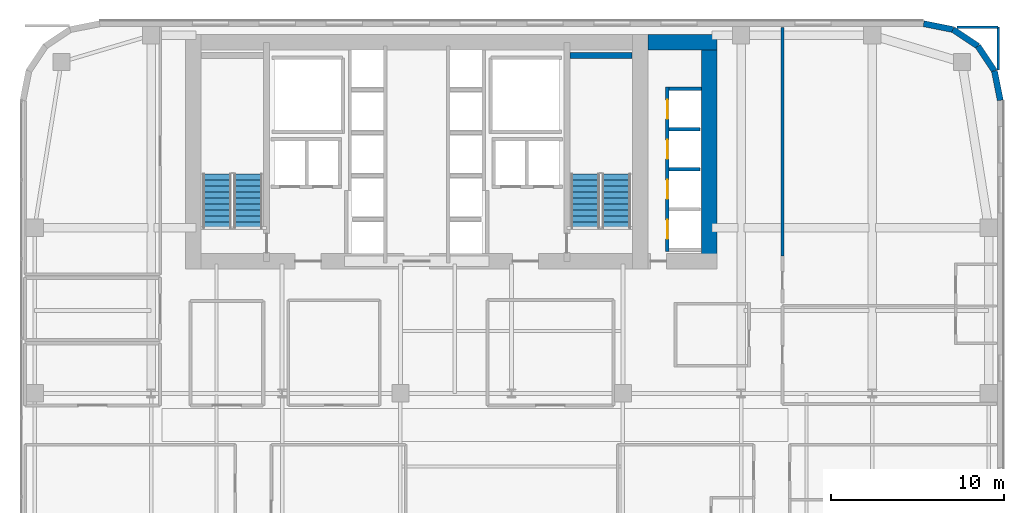
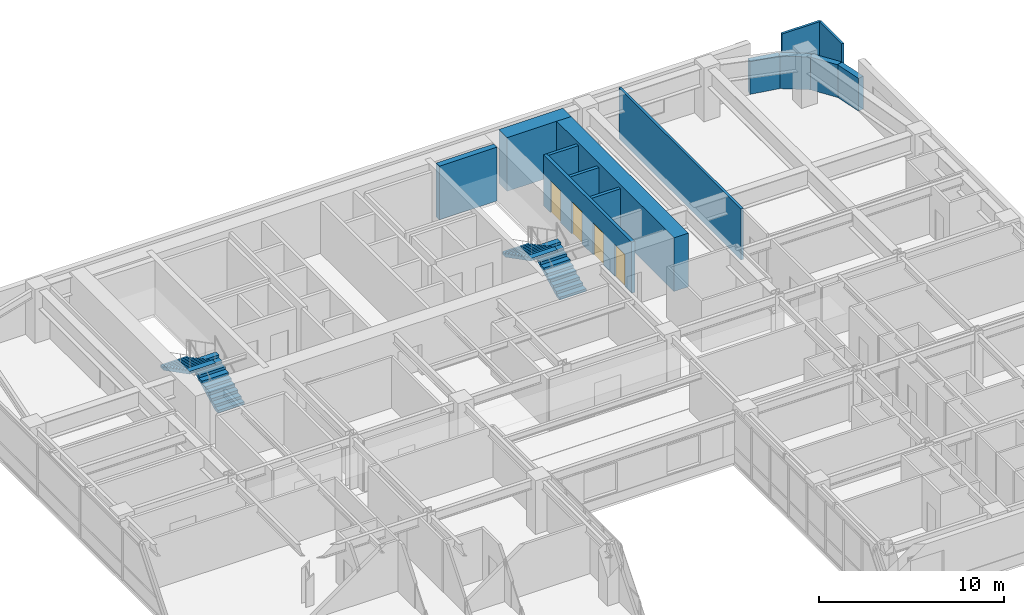
# One storey, part 32 of 37: 14 walls, 4 doors, 4 stair flights, 4 openings, 2 elements without a shape of their own.
"""IFC4 building model written with IfcOpenShell, lengths in metres."""

from ifc_helpers import new_model, si_unit, direction, frame, frame_2d, origin, place, context, subcontext, project, spatial, polyline, rectangle, outline, extrude, source, transform, mapped, material, layer, layer_set, type_object, type_shapes, element, fill, aggregate, save


model = new_model("IFC4")

# Units and contexts
model_context = context("Model", 3, precision=1e-05, world=origin(), true_north=direction((0.0, 1.0)))
body_context = subcontext(model_context, "Body", "Model", "MODEL_VIEW")
ifc_project = project(units=[si_unit("LENGTHUNIT", "METRE"), si_unit("AREAUNIT", "SQUARE_METRE"), si_unit("VOLUMEUNIT", "CUBIC_METRE"), si_unit("PLANEANGLEUNIT", "RADIAN"), si_unit("MASSUNIT", "GRAM", prefix="KILO")], contexts=[model_context])

# Site, building, storey
site_placement = place(None, origin())
site = spatial("IfcSite", under=ifc_project, at=site_placement, CompositionType="ELEMENT")
building_placement = place(site_placement, origin())
building = spatial("IfcBuilding", under=site, at=building_placement, Name="Tolvann Quenvar Hotel", CompositionType="ELEMENT")
storey_placement = place(building_placement, frame((0.0, 0.0, 53.300048828125)))
storey = spatial("IfcBuildingStorey", under=building, at=storey_placement, Name="L12", CompositionType="ELEMENT", Elevation=53.300048828125)

# Walls
ifc_material_1 = material(Name="Concrete S80 (80 MPa)", Category="concrete")
ifc_layer_1 = layer(ifc_material_1, 0.89990234375)
ifc_layer_set_1 = layer_set([ifc_layer_1], Name="Concrete S80 (80 MPa)")
wall_type_1 = type_object("IfcWallType", Name="WALL_CORE_900", PredefinedType="SHEAR", material=ifc_layer_set_1)
wall_1_placement = place(storey_placement, frame((36.39990234375, 44.75, 0.0), z_axis=(0.0, 0.0, 1.0), x_axis=(1.0, 0.0, 0.0)))
element("IfcWall", 1, at=wall_1_placement, inside=storey, type_object=wall_type_1, Name="Core East Annex Shear Wall ANN-N (L12)", PredefinedType="SHEAR", context=body_context, shape_type="SweptSolid", body=[
    extrude(rectangle(XDim=4.0, YDim=0.89990234375, at=frame_2d((2.0, 0.0))), origin(), (0.0, 0.0, 1.0), 3.550048828125),
])
wall_2_placement = place(storey_placement, frame((39.949951171875, 31.60009765625, 0.0), z_axis=(0.0, 0.0, 1.0), x_axis=(0.0, 1.0, 0.0)))
element("IfcWall", 2, at=wall_2_placement, inside=storey, type_object=wall_type_1, Name="Core East Annex Shear Wall ANN-E (L12)", PredefinedType="SHEAR", context=body_context, shape_type="SweptSolid", body=[
    extrude(rectangle(XDim=13.599853515625, YDim=0.89990234375, at=frame_2d((6.7998046875, 0.0))), origin(), (0.0, 0.0, 1.0), 3.550048828125),
])
ifc_material_2 = material(Name="Concrete S65 (65 MPa)", Category="concrete")
ifc_layer_2 = layer(ifc_material_2, 0.35009765625)
ifc_layer_set_2 = layer_set([ifc_layer_2], Name="Concrete S65 (65 MPa)")
wall_type_2 = type_object("IfcWallType", Name="WALL_CORE_INT_350", PredefinedType="SHEAR", material=ifc_layer_set_2)
wall_3_placement = place(storey_placement, frame((31.8798828125, 43.97509765625, 0.0), z_axis=(0.0, 0.0, 1.0), x_axis=(1.0, 0.0, 0.0)))
element("IfcWall", 3, at=wall_3_placement, inside=storey, type_object=wall_type_2, Name="Core Stair North Closing Shear Wall STC2-N (L12)", PredefinedType="SHEAR", context=body_context, shape_type="SweptSolid", body=[
    extrude(rectangle(XDim=3.60009765625, YDim=0.35009765625, at=frame_2d((1.800048828125, 0.0))), origin(), (0.0, 0.0, 1.0), 3.550048828125),
])
ifc_material_3 = material(Name="Kiln-fired red and buff architectural clay brickwork and terracotta masonry", Category="masonry")
ifc_layer_3 = layer(ifc_material_3, 0.35009765625)
ifc_layer_set_3 = layer_set([ifc_layer_3], Name="Kiln-fired red and buff architectural clay brickwork and terracotta masonry")
wall_type_3 = type_object("IfcWallType", Name="WALL_EXT_BRICK_350", PredefinedType="SOLIDWALL", material=ifc_layer_set_3)
wall_4_placement = place(storey_placement, frame((56.824951171875, 41.3828125, 0.0), z_axis=(0.0, 0.0, 1.0), x_axis=(-0.195011420161, 0.980800971659, 0.0)))
element("IfcWall", 4, at=wall_4_placement, inside=storey, type_object=wall_type_3, Name="Exterior Chicago Brick Wall L12-E14", PredefinedType="SOLIDWALL", context=body_context, shape_type="SweptSolid", body=[
    extrude(rectangle(XDim=1.74267578125, YDim=0.35009765625, at=frame_2d((0.871337890625, 0.0))), origin(), (0.0, 0.0, 1.0), 2.159912109375),
])
for number, where, z_axis, x_axis, name in (
    (5, (56.485107421875, 43.092041015625, 0.0), (0.0, 0.0, 1.0), (-0.55554893791, 0.831483840845, 0.0), "Exterior Chicago Brick Wall L12-E15"),
    (6, (55.526611328125, 44.526611328125, 0.0), (0.0, 0.0, 1.0), (-0.831483840845, 0.55554893791, 0.0), "Exterior Chicago Brick Wall L12-E16"),
):
    element("IfcWall", number, at=place(storey_placement, frame(where, z_axis=z_axis, x_axis=x_axis)), inside=storey, type_object=wall_type_3, Name=name, PredefinedType="SOLIDWALL", context=body_context, shape_type="SweptSolid", body=[
        extrude(rectangle(XDim=1.725341796875, YDim=0.35009765625, at=frame_2d((0.86279296875, 0.0))), origin(), (0.0, 0.0, 1.0), 2.159912109375),
    ])
wall_5_placement = place(storey_placement, frame((54.092041015625, 45.485107421875, 0.0), z_axis=(0.0, 0.0, 1.0), x_axis=(-0.980800971659, 0.195011420161, 0.0)))
element("IfcWall", 7, at=wall_5_placement, inside=storey, type_object=wall_type_3, Name="Exterior Chicago Brick Wall L12-E17", PredefinedType="SOLIDWALL", context=body_context, shape_type="SweptSolid", body=[
    extrude(rectangle(XDim=1.74267578125, YDim=0.35009765625, at=frame_2d((0.871337890625, 0.0))), origin(), (0.0, 0.0, 1.0), 2.159912109375),
])
ifc_material_4 = material(Name="Acoustic twin-stud fire-rated gypsum plasterboard partition")
ifc_layer_4 = layer(ifc_material_4, 0.14990234375)
ifc_layer_set_4 = layer_set([ifc_layer_4], Name="Acoustic twin-stud fire-rated gypsum plasterboard partition")
wall_type_4 = type_object("IfcWallType", Name="WALL_PART_SUITE_150", PredefinedType="PARTITIONING", material=ifc_layer_set_4)
wall_6_placement = place(storey_placement, frame((56.699951171875, 43.135009765625, 0.0), z_axis=(0.0, 0.0, 1.0), x_axis=(0.0, 1.0, 0.0)))
element("IfcWall", 8, at=wall_6_placement, inside=storey, type_object=wall_type_4, Name="Interior Partition PT-SPC-L12-RM-NE02-E4", PredefinedType="PARTITIONING", context=body_context, shape_type="SweptSolid", body=[
    extrude(rectangle(XDim=2.485107421875, YDim=0.14990234375, at=frame_2d((1.24267578125, 0.0))), origin(), (0.0, 0.0, 1.0), 3.369873046875),
])
wall_7_placement = place(storey_placement, frame((54.303955078125, 45.6201171875, 0.0), z_axis=(0.0, 0.0, 1.0), x_axis=(1.0, 0.0, 0.0)))
element("IfcWall", 9, at=wall_7_placement, inside=storey, type_object=wall_type_4, Name="Interior Partition PT-SPC-L12-RM-NE02-E5", PredefinedType="PARTITIONING", context=body_context, shape_type="SweptSolid", body=[
    extrude(rectangle(XDim=2.39599609375, YDim=0.14990234375, at=frame_2d((1.197998046875, 0.0))), origin(), (0.0, 0.0, 1.0), 3.369873046875),
])
wall_8_placement = place(storey_placement, frame((44.199951171875, 32.3701171875, 0.0), z_axis=(0.0, 0.0, 1.0), x_axis=(0.0, 1.0, 0.0)))
element("IfcWall", 10, at=wall_8_placement, inside=storey, type_object=wall_type_4, Name="Interior Partition PT-SPC-L12-RM-NE02-E6", PredefinedType="PARTITIONING", context=body_context, shape_type="SweptSolid", body=[
    extrude(rectangle(XDim=13.224853515625, YDim=0.14990234375, at=frame_2d((6.6123046875, 0.0))), origin(), (0.0, 0.0, 1.0), 3.369873046875),
])

# Wall, openings, doors
ifc_material_5 = material(Name="Concrete N40 (40 MPa)", Category="concrete")
ifc_layer_5 = layer(ifc_material_5, 0.199951171875)
ifc_layer_set_5 = layer_set([ifc_layer_5], Name="Concrete N40 (40 MPa)")
wall_type_5 = type_object("IfcWallType", Name="WALL_SHAFT_200", PredefinedType="SOLIDWALL", material=ifc_layer_set_5)
wall_9_placement = place(storey_placement, frame((37.530029296875, 32.610107421875, 0.0), z_axis=(0.0, 0.0, 1.0), x_axis=(0.0, 1.0, 0.0)))
wall_9 = element("IfcWall", 11, at=wall_9_placement, inside=storey, type_object=wall_type_5, Name="Lift Bank W37.6C1 Hoistway Front Wall (L12)", PredefinedType="SOLIDWALL", context=body_context, shape_type="SweptSolid", body=[
    extrude(rectangle(XDim=9.539794921875, YDim=0.199951171875, at=frame_2d((4.77001953125, 0.0))), origin(), (0.0, 0.0, 1.0), 3.369873046875),
])
opening_1_placement = place(wall_9_placement, frame((0.739990234375, 0.0, 0.0)))
opening_1 = element("IfcOpeningElement", 12, at=opening_1_placement, cuts=wall_9, Name="Opening LD-01", PredefinedType="OPENING", context=body_context, shape_type="SweptSolid", body=[
    extrude(rectangle(XDim=1.10009765625, YDim=2.1201171875, at=frame_2d((0.550048828125, 1.06005859375))), frame((0.0, 0.10986328125, 0.0), z_axis=(0.0, -1.0, 0.0), x_axis=(1.0, 0.0, 0.0)), (0.0, 0.0, 1.0), 0.219970703125),
])
opening_2_placement = place(wall_9_placement, frame((3.06005859375, 0.0, 0.0)))
opening_2 = element("IfcOpeningElement", 13, at=opening_2_placement, cuts=wall_9, Name="Opening LD-01", PredefinedType="OPENING", context=body_context, shape_type="SweptSolid", body=[
    extrude(rectangle(XDim=1.10009765625, YDim=2.1201171875, at=frame_2d((0.550048828125, 1.06005859375))), frame((0.0, 0.10986328125, 0.0), z_axis=(0.0, -1.0, 0.0), x_axis=(1.0, 0.0, 0.0)), (0.0, 0.0, 1.0), 0.219970703125),
])
opening_3_placement = place(wall_9_placement, frame((5.3798828125, 0.0, 0.0)))
opening_3 = element("IfcOpeningElement", 14, at=opening_3_placement, cuts=wall_9, Name="Opening LD-01", PredefinedType="OPENING", context=body_context, shape_type="SweptSolid", body=[
    extrude(rectangle(XDim=1.10009765625, YDim=2.1201171875, at=frame_2d((0.550048828125, 1.06005859375))), frame((0.0, 0.10986328125, 0.0), z_axis=(0.0, -1.0, 0.0), x_axis=(1.0, 0.0, 0.0)), (0.0, 0.0, 1.0), 0.219970703125),
])
opening_4_placement = place(wall_9_placement, frame((7.699951171875, 0.0, 0.0)))
opening_4 = element("IfcOpeningElement", 15, at=opening_4_placement, cuts=wall_9, Name="Opening LD-01", PredefinedType="OPENING", context=body_context, shape_type="SweptSolid", body=[
    extrude(rectangle(XDim=1.10009765625, YDim=2.1201171875, at=frame_2d((0.550048828125, 1.06005859375))), frame((0.0, 0.10986328125, 0.0), z_axis=(0.0, -1.0, 0.0), x_axis=(1.0, 0.0, 0.0)), (0.0, 0.0, 1.0), 0.219970703125),
])
ifc_material_6 = material(Name="Brushed 316 stainless steel automatic sliding lift landing door", Category="steel")
door_type = type_object("IfcDoorType", Name="DOOR_LIFT_SLIDE_1100", OperationType="NOTDEFINED", PredefinedType="DOOR", material=ifc_material_6)
shared_shape = source(origin(), body_context, "Body", "SweptSolid", [
    extrude(rectangle(XDim=1.10009765625, YDim=2.1201171875, at=frame_2d((0.550048828125, 1.06005859375))), frame((0.0, 0.02490234375, 0.0), z_axis=(0.0, -1.0, 0.0), x_axis=(1.0, 0.0, 0.0)), (0.0, 0.0, 1.0), 0.050048828125),
])
type_shapes(door_type, [shared_shape])
door_1_placement = place(opening_1_placement, origin())
door_1 = element("IfcDoor", 16, at=door_1_placement, inside=storey, type_object=door_type, Name="Lift PL-1 Sliding Landing Door (L12)", OperationType="SLIDING_TO_LEFT", OverallHeight=2.1201171875, OverallWidth=1.10009765625, PredefinedType="DOOR", context=body_context, shape_type="MappedRepresentation", body=[
    mapped(shared_shape, transform((0.0, 0.0, 0.0), x_axis=(1.0, 0.0, 0.0), y_axis=(0.0, 1.0, 0.0), z_axis=(0.0, 0.0, 1.0), scale=1.0)),
])
fill(opening_1, door_1)
door_2_placement = place(opening_2_placement, origin())
door_2 = element("IfcDoor", 17, at=door_2_placement, inside=storey, type_object=door_type, Name="Lift PL-2 Sliding Landing Door (L12)", OperationType="SLIDING_TO_RIGHT", OverallHeight=2.1201171875, OverallWidth=1.10009765625, PredefinedType="DOOR", context=body_context, shape_type="MappedRepresentation", body=[
    mapped(shared_shape, transform((0.0, 0.0, 0.0), x_axis=(1.0, 0.0, 0.0), y_axis=(0.0, 1.0, 0.0), z_axis=(0.0, 0.0, 1.0), scale=1.0)),
])
fill(opening_2, door_2)
door_3_placement = place(opening_3_placement, origin())
door_3 = element("IfcDoor", 18, at=door_3_placement, inside=storey, type_object=door_type, Name="Lift PL-3 Sliding Landing Door (L12)", OperationType="SLIDING_TO_LEFT", OverallHeight=2.1201171875, OverallWidth=1.10009765625, PredefinedType="DOOR", context=body_context, shape_type="MappedRepresentation", body=[
    mapped(shared_shape, transform((0.0, 0.0, 0.0), x_axis=(1.0, 0.0, 0.0), y_axis=(0.0, 1.0, 0.0), z_axis=(0.0, 0.0, 1.0), scale=1.0)),
])
fill(opening_3, door_3)
door_4_placement = place(opening_4_placement, origin())
door_4 = element("IfcDoor", 19, at=door_4_placement, inside=storey, type_object=door_type, Name="Lift PL-4 Sliding Landing Door (L12)", OperationType="SLIDING_TO_RIGHT", OverallHeight=2.1201171875, OverallWidth=1.10009765625, PredefinedType="DOOR", context=body_context, shape_type="MappedRepresentation", body=[
    mapped(shared_shape, transform((0.0, 0.0, 0.0), x_axis=(1.0, 0.0, 0.0), y_axis=(0.0, 1.0, 0.0), z_axis=(0.0, 0.0, 1.0), scale=1.0)),
])
fill(opening_4, door_4)

# Walls
wall_10_placement = place(storey_placement, frame((37.6298828125, 42.050048828125, 0.0), z_axis=(0.0, 0.0, 1.0), x_axis=(1.0, 0.0, 0.0)))
element("IfcWall", 20, at=wall_10_placement, inside=storey, type_object=wall_type_5, Name="Lift Bank W37.6C1 Hoistway Cheek Wall 2 (L12)", PredefinedType="SOLIDWALL", context=body_context, shape_type="SweptSolid", body=[
    extrude(rectangle(XDim=1.8701171875, YDim=0.199951171875, at=frame_2d((0.93505859375, 0.0))), origin(), (0.0, 0.0, 1.0), 3.369873046875),
])
for number, where, z_axis, x_axis, name in (
    (21, (37.6298828125, 37.3798828125, 0.0), (0.0, 0.0, 1.0), (1.0, 0.0, 0.0), "Lift Bank W37.6C1 Divider Wall 2 (L12)"),
    (22, (37.6298828125, 39.699951171875, 0.0), (0.0, 0.0, 1.0), (1.0, 0.0, 0.0), "Lift Bank W37.6C1 Divider Wall 3 (L12)"),
):
    element("IfcWall", number, at=place(storey_placement, frame(where, z_axis=z_axis, x_axis=x_axis)), inside=storey, type_object=wall_type_5, Name=name, PredefinedType="SOLIDWALL", context=body_context, shape_type="SweptSolid", body=[
        extrude(rectangle(XDim=1.800048828125, YDim=0.199951171875, at=frame_2d((0.89990234375, 0.0))), origin(), (0.0, 0.0, 1.0), 3.369873046875),
    ])

# Stair, stair flights
stair_type = type_object("IfcStairType", Name="STAIR", PredefinedType="HALF_TURN_STAIR", material=ifc_material_5)
stair_1_placement = place(storey_placement, origin())
stair_1 = element("IfcStair", 23, at=stair_1_placement, inside=storey, type_object=stair_type, Name="L12 ST-C1", PredefinedType="HALF_TURN_STAIR")
stair_flight_type = type_object("IfcStairFlightType", Name="STAIR_FLIGHT", PredefinedType="STRAIGHT", material=ifc_material_5)
stair_flight_1_placement = place(storey_placement, frame((13.22509765625, 34.0, 0.0), z_axis=(0.0, 0.0, 1.0), x_axis=(0.0, 1.0, 0.0)))
stair_flight_1 = element("IfcStairFlight", 24, at=stair_flight_1_placement, type_object=stair_flight_type, Name="ST-C1 flight 1", NumberOfRisers=10, NumberOfTreads=9, PredefinedType="STRAIGHT", RiserHeight=0.1775, TreadLength=0.345, context=body_context, shape_type="SweptSolid", body=[
    extrude(outline(polyline([(0.0, 0.0), (0.0, 0.177490234375), (0.344970703125, 0.177490234375), (0.344970703125, 0.35498046875), (0.68994140625, 0.35498046875), (0.68994140625, 0.532470703125), (1.034912109375, 0.532470703125), (1.034912109375, 0.7099609375), (1.3798828125, 0.7099609375), (1.3798828125, 0.887451171875), (1.72509765625, 0.887451171875), (1.72509765625, 1.06494140625), (2.070068359375, 1.06494140625), (2.070068359375, 1.242431640625), (2.4150390625, 1.242431640625), (2.4150390625, 1.419921875), (2.760009765625, 1.419921875), (2.760009765625, 1.597412109375), (3.10498046875, 1.597412109375), (3.10498046875, 1.77490234375), (3.10498046875, 1.428955078125), (0.32763671875, 0.0), (0.0, 0.0)])), frame((0.0, 0.824951171875, 0.0), z_axis=(0.0, -1.0, 0.0), x_axis=(1.0, 0.0, 0.0)), (0.0, 0.0, 1.0), 1.64990234375),
])
stair_flight_2_placement = place(storey_placement, frame((11.425048828125, 37.10498046875, 1.77490234375), z_axis=(0.0, 0.0, 1.0), x_axis=(0.0, -1.0, 0.0)))
stair_flight_2 = element("IfcStairFlight", 25, at=stair_flight_2_placement, type_object=stair_flight_type, Name="ST-C1 flight 2", NumberOfRisers=10, NumberOfTreads=9, PredefinedType="STRAIGHT", RiserHeight=0.1775, TreadLength=0.345, context=body_context, shape_type="SweptSolid", body=[
    extrude(outline(polyline([(0.0, 0.0), (0.0, 0.177490234375), (0.344970703125, 0.177490234375), (0.344970703125, 0.35498046875), (0.68994140625, 0.35498046875), (0.68994140625, 0.532470703125), (1.034912109375, 0.532470703125), (1.034912109375, 0.7099609375), (1.3798828125, 0.7099609375), (1.3798828125, 0.887451171875), (1.72509765625, 0.887451171875), (1.72509765625, 1.06494140625), (2.070068359375, 1.06494140625), (2.070068359375, 1.242431640625), (2.4150390625, 1.242431640625), (2.4150390625, 1.419921875), (2.760009765625, 1.419921875), (2.760009765625, 1.597412109375), (3.10498046875, 1.597412109375), (3.10498046875, 1.77490234375), (3.10498046875, 1.428955078125), (0.32763671875, 0.0), (0.0, 0.0)])), frame((0.0, 0.824951171875, 0.0), z_axis=(0.0, -1.0, 0.0), x_axis=(1.0, 0.0, 0.0)), (0.0, 0.0, 1.0), 1.64990234375),
])
aggregate(stair_1, [stair_flight_1, stair_flight_2])

stair_2_placement = place(storey_placement, origin())
stair_2 = element("IfcStair", 26, at=stair_2_placement, inside=storey, type_object=stair_type, Name="L12 ST-C2", PredefinedType="HALF_TURN_STAIR")
stair_flight_3_placement = place(storey_placement, frame((34.574951171875, 34.0, 0.0), z_axis=(0.0, 0.0, 1.0), x_axis=(0.0, 1.0, 0.0)))
stair_flight_3 = element("IfcStairFlight", 27, at=stair_flight_3_placement, type_object=stair_flight_type, Name="ST-C2 flight 1", NumberOfRisers=10, NumberOfTreads=9, PredefinedType="STRAIGHT", RiserHeight=0.1775, TreadLength=0.345, context=body_context, shape_type="SweptSolid", body=[
    extrude(outline(polyline([(0.0, 0.0), (0.0, 0.177490234375), (0.344970703125, 0.177490234375), (0.344970703125, 0.35498046875), (0.68994140625, 0.35498046875), (0.68994140625, 0.532470703125), (1.034912109375, 0.532470703125), (1.034912109375, 0.7099609375), (1.3798828125, 0.7099609375), (1.3798828125, 0.887451171875), (1.72509765625, 0.887451171875), (1.72509765625, 1.06494140625), (2.070068359375, 1.06494140625), (2.070068359375, 1.242431640625), (2.4150390625, 1.242431640625), (2.4150390625, 1.419921875), (2.760009765625, 1.419921875), (2.760009765625, 1.597412109375), (3.10498046875, 1.597412109375), (3.10498046875, 1.77490234375), (3.10498046875, 1.428955078125), (0.32763671875, 0.0), (0.0, 0.0)])), frame((0.0, 0.824951171875, 0.0), z_axis=(0.0, -1.0, 0.0), x_axis=(1.0, 0.0, 0.0)), (0.0, 0.0, 1.0), 1.64990234375),
])
stair_flight_4_placement = place(storey_placement, frame((32.77490234375, 37.10498046875, 1.77490234375), z_axis=(0.0, 0.0, 1.0), x_axis=(0.0, -1.0, 0.0)))
stair_flight_4 = element("IfcStairFlight", 28, at=stair_flight_4_placement, type_object=stair_flight_type, Name="ST-C2 flight 2", NumberOfRisers=10, NumberOfTreads=9, PredefinedType="STRAIGHT", RiserHeight=0.1775, TreadLength=0.345, context=body_context, shape_type="SweptSolid", body=[
    extrude(outline(polyline([(0.0, 0.0), (0.0, 0.177490234375), (0.344970703125, 0.177490234375), (0.344970703125, 0.35498046875), (0.68994140625, 0.35498046875), (0.68994140625, 0.532470703125), (1.034912109375, 0.532470703125), (1.034912109375, 0.7099609375), (1.3798828125, 0.7099609375), (1.3798828125, 0.887451171875), (1.72509765625, 0.887451171875), (1.72509765625, 1.06494140625), (2.070068359375, 1.06494140625), (2.070068359375, 1.242431640625), (2.4150390625, 1.242431640625), (2.4150390625, 1.419921875), (2.760009765625, 1.419921875), (2.760009765625, 1.597412109375), (3.10498046875, 1.597412109375), (3.10498046875, 1.77490234375), (3.10498046875, 1.428955078125), (0.32763671875, 0.0), (0.0, 0.0)])), frame((0.0, 0.824951171875, 0.0), z_axis=(0.0, -1.0, 0.0), x_axis=(1.0, 0.0, 0.0)), (0.0, 0.0, 1.0), 1.64990234375),
])
aggregate(stair_2, [stair_flight_3, stair_flight_4])

save(model, "model.ifc")
